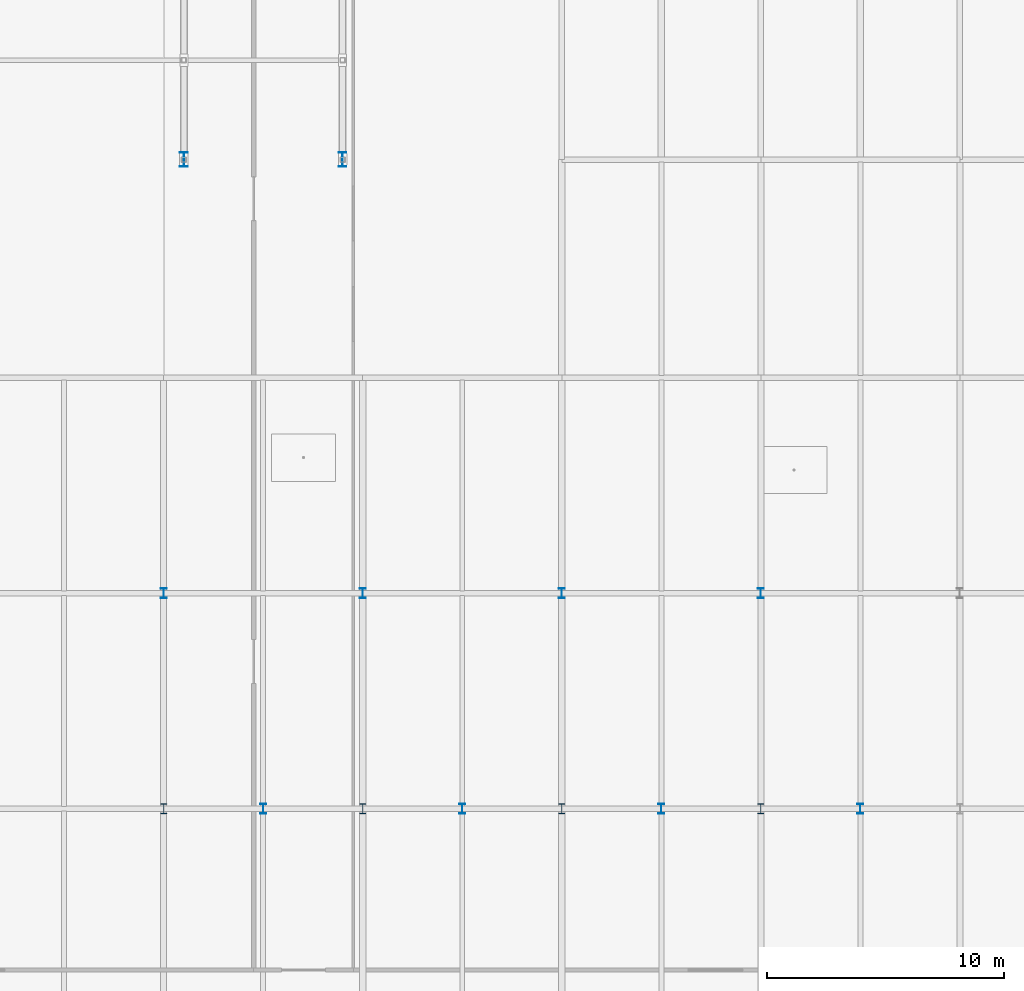
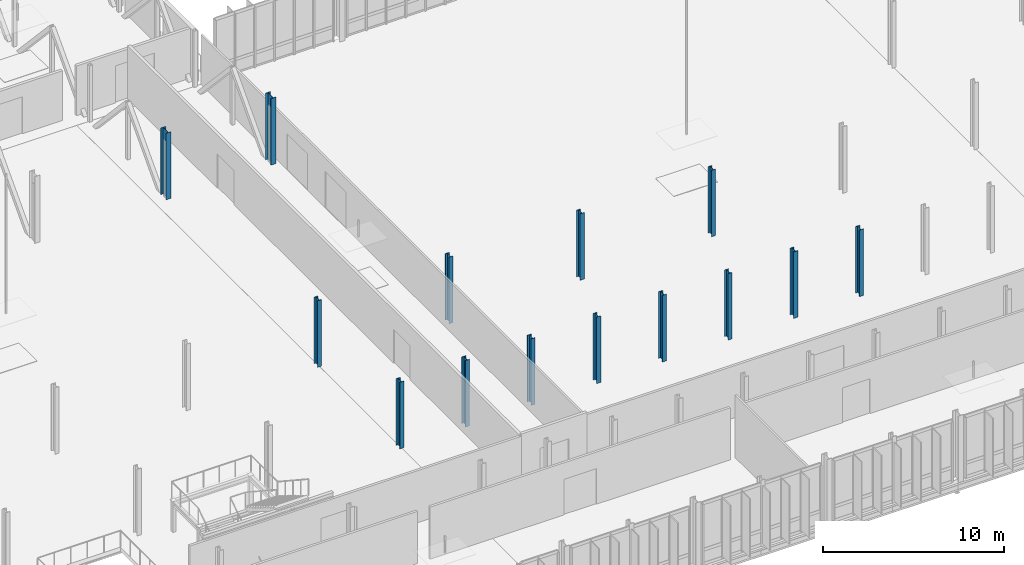
# One storey, part 11 of 139: 14 columns.
"""IFC4 building model written with IfcOpenShell, lengths in metres."""

from ifc_helpers import new_model, si_unit, derived_unit, direction, frame, origin, origin_2d, place, context, subcontext, project, spatial, i_section, extrude, material, material_profile, profile_set, type_object, element, save


model = new_model("IFC4")

# Units and contexts
model_context = context("Model", 3, precision=1e-05, world=origin(), true_north=direction((0.0, 1.0)))
body_context = subcontext(model_context, "Body", "Model", "MODEL_VIEW")
ifc_project = project(units=[si_unit("LENGTHUNIT", "METRE"), si_unit("AREAUNIT", "SQUARE_METRE"), si_unit("VOLUMEUNIT", "CUBIC_METRE"), si_unit("PLANEANGLEUNIT", "RADIAN"), si_unit("MASSUNIT", "GRAM", prefix="KILO"), derived_unit("THERMALTRANSMITTANCEUNIT", [(si_unit("MASSUNIT", "GRAM", prefix="KILO"), 1), (si_unit("TIMEUNIT", "SECOND"), -3), (si_unit("THERMODYNAMICTEMPERATUREUNIT", "KELVIN"), -1)])], contexts=[model_context])

# Site, building, storey
site_placement = place(None, origin())
site = spatial("IfcSite", under=ifc_project, at=site_placement, CompositionType="ELEMENT")
building_placement = place(site_placement, origin())
building = spatial("IfcBuilding", under=site, at=building_placement, Name="Makaiwela Harbour Ferry Terminal", CompositionType="ELEMENT")
storey_placement = place(building_placement, frame((0.0, 0.0, 5.10009765625)))
storey = spatial("IfcBuildingStorey", under=building, at=storey_placement, Name="L01", CompositionType="ELEMENT", Elevation=5.10009765625)

# Columns
ifc_material = material(Name="Steel ASTM A992 Grade 50", Category="steel")
ifc_material_profile_1 = material_profile(ifc_material, i_section(OverallWidth=0.264892578125, OverallDepth=0.430908203125, WebThickness=0.014892578125, FlangeThickness=0.02490234375, at=origin_2d()), Name="W16X100")
ifc_profile_set_1 = profile_set([ifc_material_profile_1], Name="Steel ASTM A992 Grade 50")
column_type_1 = type_object("IfcColumnType", Name="STR-COL-W16X100", PredefinedType="COLUMN", material=ifc_profile_set_1)
for number, where, z_axis, x_axis, name in (
    (1, (96.60009765625, 67.60009765625, 0.0), (0.0, 0.0, 1.0), (1.0, 0.0, 0.0), "Structural Column C-03"),
    (2, (105.0, 67.60009765625, 0.0), (0.0, 0.0, 1.0), (1.0, 0.0, 0.0), "Structural Column C-03"),
    (3, (113.39990234375, 67.60009765625, 0.0), (0.0, 0.0, 1.0), (1.0, 0.0, 0.0), "Structural Column C-03"),
    (4, (121.800048828125, 67.60009765625, 0.0), (0.0, 0.0, 1.0), (1.0, 0.0, 0.0), "Structural Column C-03"),
):
    element("IfcColumn", number, at=place(storey_placement, frame(where, z_axis=z_axis, x_axis=x_axis)), inside=storey, type_object=column_type_1, Name=name, PredefinedType="COLUMN", context=body_context, shape_type="SweptSolid", body=[
        extrude(i_section(OverallWidth=0.264892578125, OverallDepth=0.430908203125, WebThickness=0.014892578125, FlangeThickness=0.02490234375, at=origin_2d()), origin(), (0.0, 0.0, 1.0), 4.5),
    ])
ifc_material_profile_2 = material_profile(ifc_material, i_section(OverallWidth=0.260986328125, OverallDepth=0.4189453125, WebThickness=0.01171875, FlangeThickness=0.019287109375, at=origin_2d()), Name="W16X77")
ifc_profile_set_2 = profile_set([ifc_material_profile_2], Name="Steel ASTM A992 Grade 50")
column_type_2 = type_object("IfcColumnType", Name="STR-COL-W16X77", PredefinedType="COLUMN", material=ifc_profile_set_2)
for number, where, z_axis, x_axis, name in (
    (5, (96.60009765625, 76.699951171875, 0.0), (0.0, 0.0, 1.0), (1.0, 0.0, 0.0), "Structural Column C-04"),
    (6, (105.0, 76.699951171875, 0.0), (0.0, 0.0, 1.0), (1.0, 0.0, 0.0), "Structural Column C-04"),
    (7, (113.39990234375, 76.699951171875, 0.0), (0.0, 0.0, 1.0), (1.0, 0.0, 0.0), "Structural Column C-04"),
    (8, (121.800048828125, 76.699951171875, 0.0), (0.0, 0.0, 1.0), (1.0, 0.0, 0.0), "Structural Column C-04"),
    (9, (100.800048828125, 67.60009765625, 0.0), (0.0, 0.0, 1.0), (1.0, 0.0, 0.0), "Structural Column C-04"),
    (10, (109.199951171875, 67.60009765625, 0.0), (0.0, 0.0, 1.0), (1.0, 0.0, 0.0), "Structural Column C-04"),
    (11, (117.60009765625, 67.60009765625, 0.0), (0.0, 0.0, 1.0), (1.0, 0.0, 0.0), "Structural Column C-04"),
    (12, (126.0, 67.60009765625, 0.0), (0.0, 0.0, 1.0), (1.0, 0.0, 0.0), "Structural Column C-04"),
):
    element("IfcColumn", number, at=place(storey_placement, frame(where, z_axis=z_axis, x_axis=x_axis)), inside=storey, type_object=column_type_2, Name=name, PredefinedType="COLUMN", context=body_context, shape_type="SweptSolid", body=[
        extrude(i_section(OverallWidth=0.260986328125, OverallDepth=0.4189453125, WebThickness=0.01171875, FlangeThickness=0.019287109375, at=origin_2d()), origin(), (0.0, 0.0, 1.0), 4.5),
    ])
ifc_material_profile_3 = material_profile(ifc_material, i_section(OverallWidth=0.324951171875, OverallDepth=0.615966796875, WebThickness=0.013916015625, FlangeThickness=0.021484375, at=origin_2d()), Name="W24X117")
ifc_profile_set_3 = profile_set([ifc_material_profile_3], Name="Steel ASTM A992 Grade 50")
column_type_3 = type_object("IfcColumnType", Name="STR-COL-W24X117", PredefinedType="COLUMN", material=ifc_profile_set_3)
for number, where, z_axis, x_axis, name in (
    (13, (97.449951171875, 95.0, 0.0), (0.0, 0.0, 1.0), (1.0, 0.0, 0.0), "Structural Column C-02"),
    (14, (104.14990234375, 95.0, 0.0), (0.0, 0.0, 1.0), (1.0, 0.0, 0.0), "Structural Column C-02"),
):
    element("IfcColumn", number, at=place(storey_placement, frame(where, z_axis=z_axis, x_axis=x_axis)), inside=storey, type_object=column_type_3, Name=name, PredefinedType="COLUMN", context=body_context, shape_type="SweptSolid", body=[
        extrude(i_section(OverallWidth=0.324951171875, OverallDepth=0.615966796875, WebThickness=0.013916015625, FlangeThickness=0.021484375, at=origin_2d()), origin(), (0.0, 0.0, 1.0), 4.5),
    ])

save(model, "model.ifc")
